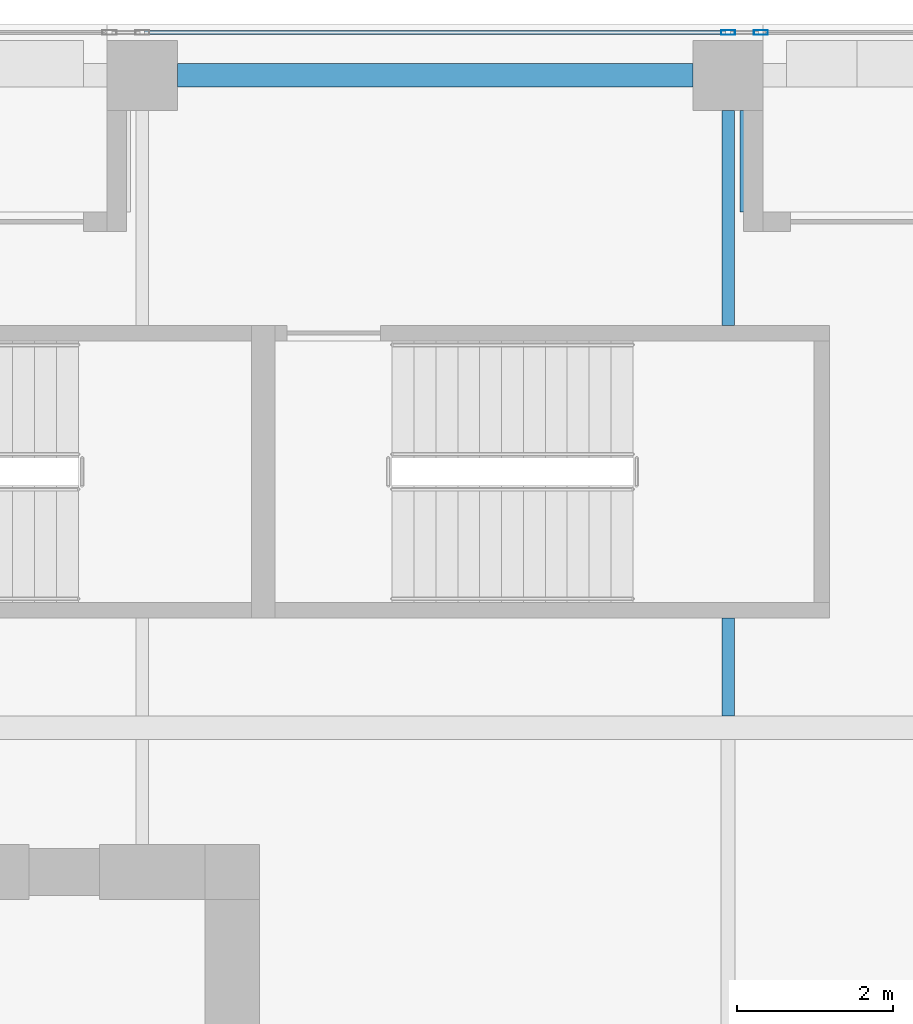
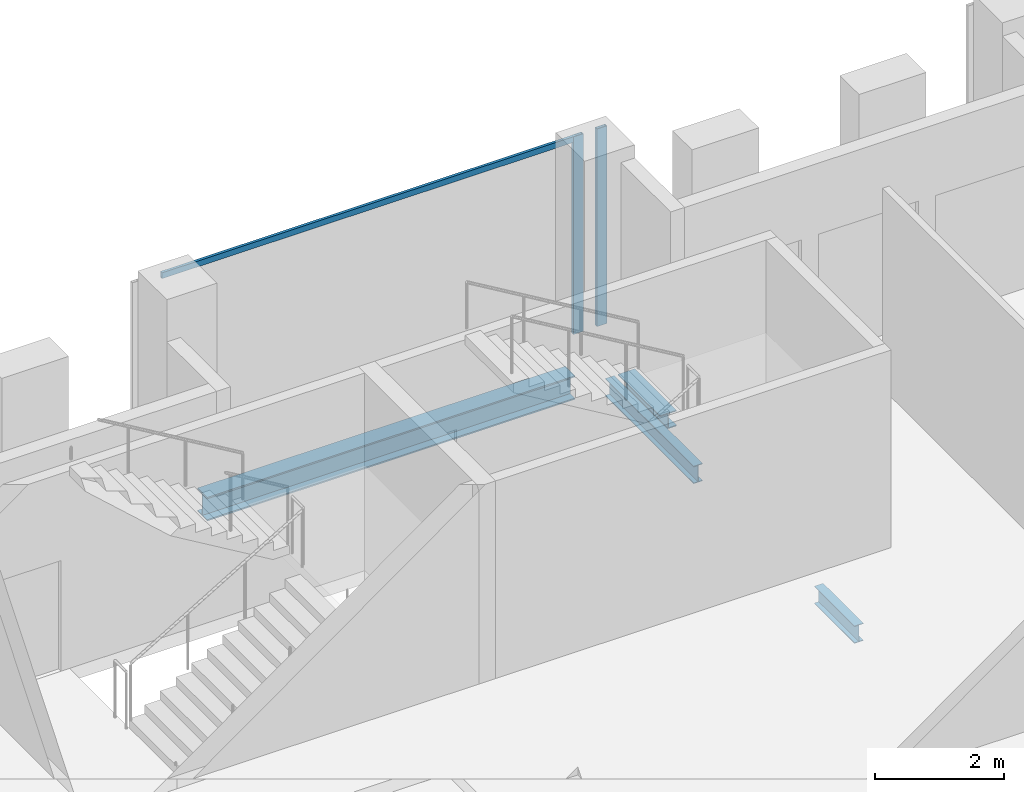
# One storey, part 19 of 35: 4 beams, 3 members, 1 element without a shape of its own.
"""IFC4 building model written with IfcOpenShell, lengths in metres."""

from ifc_helpers import new_model, si_unit, direction, frame, origin, origin_2d, place, context, subcontext, project, spatial, hollow_rectangle, i_section, extrude, source, transform, mapped, material, material_profile, profile_set, type_object, element, aggregate, save


model = new_model("IFC4")

# Units and contexts
model_context = context("Model", 3, precision=1e-05, world=origin(), true_north=direction((0.0, 1.0)))
body_context = subcontext(model_context, "Body", "Model", "MODEL_VIEW")
ifc_project = project(units=[si_unit("LENGTHUNIT", "METRE"), si_unit("AREAUNIT", "SQUARE_METRE"), si_unit("VOLUMEUNIT", "CUBIC_METRE"), si_unit("PLANEANGLEUNIT", "RADIAN"), si_unit("MASSUNIT", "GRAM", prefix="KILO")], contexts=[model_context])

# Site, building, storey
site_placement = place(None, origin())
site = spatial("IfcSite", under=ifc_project, at=site_placement, CompositionType="ELEMENT")
building_placement = place(site_placement, origin())
building = spatial("IfcBuilding", under=site, at=building_placement, Name="Khomas Fold Tower", CompositionType="ELEMENT")
storey_placement = place(building_placement, frame((0.0, 0.0, 270.199951171875)))
storey = spatial("IfcBuildingStorey", under=building, at=storey_placement, Name="L61", CompositionType="ELEMENT", Elevation=270.199951171875)

# Beams
ifc_material_1 = material(Name="Steel S355", Category="steel")
ifc_material_profile_1 = material_profile(ifc_material_1, i_section(OverallWidth=0.159912109375, OverallDepth=0.330078125, WebThickness=0.007568359375, FlangeThickness=0.011474609375, at=origin_2d()), Name="IPE 330")
ifc_profile_set_1 = profile_set([ifc_material_profile_1], Name="Steel S355")
beam_type_1 = type_object("IfcBeamType", Name="IPE 330 beam JB1", PredefinedType="BEAM", material=ifc_profile_set_1)
shared_shape_1 = source(origin(), body_context, "Body", "SweptSolid", [
    extrude(i_section(OverallWidth=0.159912109375, OverallDepth=0.330078125, WebThickness=0.007568359375, FlangeThickness=0.011474609375, at=origin_2d()), origin(), (0.0, 0.0, 1.0), 1.25),
])
beam_1_placement = place(storey_placement, frame((27.0, 40.64990234375, -0.4150390625), z_axis=(0.0, 1.0, 0.0), x_axis=(-1.0, 0.0, 0.0)))
element("IfcBeam", 1, at=beam_1_placement, inside=storey, type_object=beam_type_1, Name="JB1", PredefinedType="BEAM", context=body_context, shape_type="MappedRepresentation", body=[
    mapped(shared_shape_1, transform((0.0, 0.0, 0.0))),
])
shared_shape_2 = source(origin(), body_context, "Body", "SweptSolid", [
    extrude(i_section(OverallWidth=0.159912109375, OverallDepth=0.330078125, WebThickness=0.007568359375, FlangeThickness=0.011474609375, at=origin_2d()), origin(), (0.0, 0.0, 1.0), 2.75),
])
beam_2_placement = place(storey_placement, frame((27.0, 45.64990234375, -0.4150390625), z_axis=(0.0, 1.0, 0.0), x_axis=(-1.0, 0.0, 0.0)))
element("IfcBeam", 2, at=beam_2_placement, inside=storey, type_object=beam_type_1, Name="JB1", PredefinedType="BEAM", context=body_context, shape_type="MappedRepresentation", body=[
    mapped(shared_shape_2, transform((0.0, 0.0, 0.0))),
])
ifc_material_2 = material(Name="Steel S355", Category="steel")
ifc_material_profile_2 = material_profile(ifc_material_2, i_section(OverallWidth=0.300048828125, OverallDepth=0.449951171875, WebThickness=0.013916015625, FlangeThickness=0.02587890625, at=origin_2d()), Name="HE 450 B")
ifc_profile_set_2 = profile_set([ifc_material_profile_2], Name="Steel S355")
beam_type_2 = type_object("IfcBeamType", Name="HE 450 B spandrel SB4", PredefinedType="SPANDREL", material=ifc_profile_set_2)
shared_shape_3 = source(origin(), body_context, "Body", "SweptSolid", [
    extrude(i_section(OverallWidth=0.300048828125, OverallDepth=0.449951171875, WebThickness=0.013916015625, FlangeThickness=0.02587890625, at=origin_2d()), origin(), (0.0, 0.0, 1.0), 6.60009765625),
])
beam_3_placement = place(storey_placement, frame((19.949951171875, 48.85009765625, -0.474853515625), z_axis=(1.0, 0.0, 0.0), x_axis=(0.0, 1.0, 0.0)))
element("IfcBeam", 3, at=beam_3_placement, inside=storey, type_object=beam_type_2, Name="SB4", PredefinedType="SPANDREL", context=body_context, shape_type="MappedRepresentation", body=[
    mapped(shared_shape_3, transform((0.0, 0.0, 0.0))),
])
ifc_material_3 = material(Name="Steel S355", Category="steel")
ifc_material_profile_3 = material_profile(ifc_material_3, i_section(OverallWidth=0.300048828125, OverallDepth=0.300048828125, WebThickness=0.010986328125, FlangeThickness=0.01904296875, at=origin_2d()), Name="HE 300 B")
ifc_profile_set_3 = profile_set([ifc_material_profile_3], Name="Steel S355")
beam_type_3 = type_object("IfcBeamType", Name="HE 300 B beam BB1", PredefinedType="BEAM", material=ifc_profile_set_3)
shared_shape_4 = source(origin(), body_context, "Body", "SweptSolid", [
    extrude(i_section(OverallWidth=0.300048828125, OverallDepth=0.300048828125, WebThickness=0.010986328125, FlangeThickness=0.01904296875, at=origin_2d()), origin(), (0.0, 0.0, 1.0), 1.2998046875),
])
beam_4_placement = place(storey_placement, frame((27.300048828125, 47.10009765625, -0.39990234375), z_axis=(0.0, 1.0, 0.0), x_axis=(-1.0, 0.0, 0.0)))
element("IfcBeam", 4, at=beam_4_placement, inside=storey, type_object=beam_type_3, Name="BB1", PredefinedType="BEAM", context=body_context, shape_type="MappedRepresentation", body=[
    mapped(shared_shape_4, transform((0.0, 0.0, 0.0))),
])

# Curtain wall, members
ifc_material_4 = material(Name="Aluminium framed double glazing", Category="aluminium")
curtain_wall_type = type_object("IfcCurtainWallType", Name="SK-Unitised clear-glass wall, office floors CW2", PredefinedType="NOTDEFINED", material=ifc_material_4)
curtain_wall_placement = place(storey_placement, origin())
curtain_wall = element("IfcCurtainWall", 5, at=curtain_wall_placement, inside=storey, type_object=curtain_wall_type, Name="CW2 run L61 06-1", PredefinedType="NOTDEFINED")
ifc_material_5 = material(Name="Aluminium", Category="aluminium")
ifc_material_profile_4 = material_profile(ifc_material_5, hollow_rectangle(XDim=0.06005859375, YDim=0.179931640625, WallThickness=0.00390625, at=origin_2d()), Name="SK-Unitised clear-glass wall, office floors mullion CW2-M")
ifc_profile_set_4 = profile_set([ifc_material_profile_4], Name="Aluminium")
member_type_1 = type_object("IfcMemberType", Name="SK-Unitised clear-glass wall, office floors mullion CW2-M", PredefinedType="MULLION", material=ifc_profile_set_4)
shared_shape_5 = source(origin(), body_context, "Body", "SweptSolid", [
    extrude(hollow_rectangle(XDim=0.06005859375, YDim=0.179931640625, WallThickness=0.00390625, at=origin_2d()), origin(), (0.0, 0.0, 1.0), 3.75),
])
member_1_placement = place(storey_placement, frame((27.419921875, 49.39990234375, 0.0), z_axis=(0.0, 0.0, 1.0), x_axis=(0.0, -1.0, 0.0)))
member_1 = element("IfcMember", 6, at=member_1_placement, type_object=member_type_1, Name="CW2 mullion 1", PredefinedType="MULLION", context=body_context, shape_type="MappedRepresentation", body=[
    mapped(shared_shape_5, transform((0.0, 0.0, 0.0))),
])
member_2_placement = place(storey_placement, frame((27.0, 49.39990234375, 0.0), z_axis=(0.0, 0.0, 1.0), x_axis=(0.0, -1.0, 0.0)))
member_2 = element("IfcMember", 7, at=member_2_placement, type_object=member_type_1, Name="CW2 mullion 2", PredefinedType="MULLION", context=body_context, shape_type="MappedRepresentation", body=[
    mapped(shared_shape_5, transform((0.0, 0.0, 0.0))),
])
ifc_material_6 = material(Name="Aluminium", Category="aluminium")
ifc_material_profile_5 = material_profile(ifc_material_6, hollow_rectangle(XDim=0.050048828125, YDim=0.110107421875, WallThickness=0.00390625, at=origin_2d()), Name="SK-Unitised clear-glass wall, office floors transom CW2-T")
ifc_profile_set_5 = profile_set([ifc_material_profile_5], Name="Aluminium")
member_type_2 = type_object("IfcMemberType", Name="SK-Unitised clear-glass wall, office floors transom CW2-T", PredefinedType="USERDEFINED", material=ifc_profile_set_5)
shared_shape_6 = source(origin(), body_context, "Body", "SweptSolid", [
    extrude(hollow_rectangle(XDim=0.050048828125, YDim=0.110107421875, WallThickness=0.00390625, at=origin_2d()), origin(), (0.0, 0.0, 1.0), 7.43994140625),
])
member_3_placement = place(storey_placement, frame((26.969970703125, 49.39990234375, 3.695068359375), z_axis=(-1.0, 0.0, 0.0), x_axis=(0.0, -1.0, 0.0)))
member_3 = element("IfcMember", 8, at=member_3_placement, type_object=member_type_2, Name="CW2 transom 2", ObjectType="TRANSOM", PredefinedType="USERDEFINED", context=body_context, shape_type="MappedRepresentation", body=[
    mapped(shared_shape_6, transform((0.0, 0.0, 0.0))),
])
aggregate(curtain_wall, [member_1, member_2, member_3])

save(model, "model.ifc")
